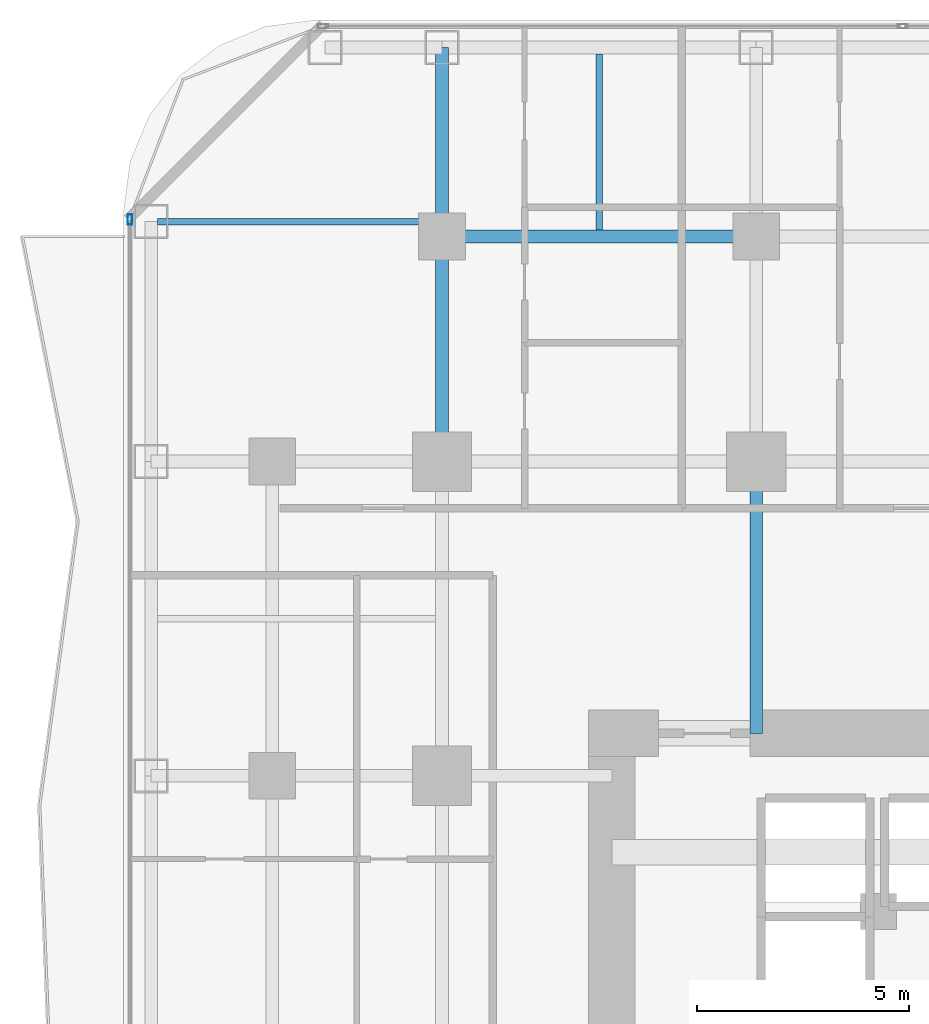
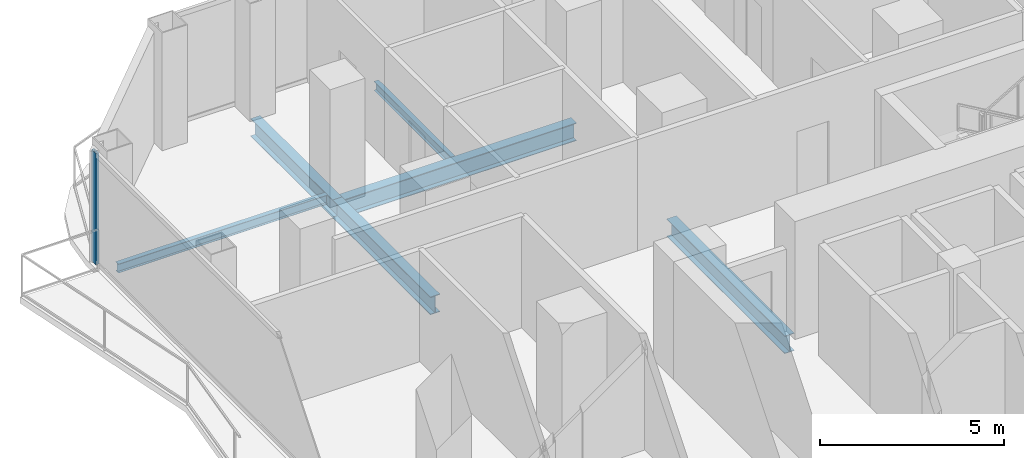
# One storey, part 14 of 27: 6 beams, 1 member, 1 element without a shape of its own.
"""IFC4 building model written with IfcOpenShell, lengths in metres."""

from ifc_helpers import new_model, si_unit, direction, frame, origin, origin_2d, place, context, subcontext, project, spatial, hollow_rectangle, i_section, extrude, material, layer, layer_set, material_profile, profile_set, type_object, element, aggregate, save


model = new_model("IFC4")

# Units and contexts
model_context = context("Model", 3, precision=1e-05, world=origin(), true_north=direction((0.0, 1.0)))
body_context = subcontext(model_context, "Body", "Model", "MODEL_VIEW")
ifc_project = project(units=[si_unit("LENGTHUNIT", "METRE"), si_unit("AREAUNIT", "SQUARE_METRE"), si_unit("VOLUMEUNIT", "CUBIC_METRE"), si_unit("PLANEANGLEUNIT", "RADIAN"), si_unit("MASSUNIT", "GRAM", prefix="KILO")], contexts=[model_context])

# Site, building, storey
site_placement = place(None, origin())
site = spatial("IfcSite", under=ifc_project, at=site_placement, CompositionType="ELEMENT")
building_placement = place(site_placement, origin())
building = spatial("IfcBuilding", under=site, at=building_placement, Name="Khorvyn Point Tower", CompositionType="ELEMENT")
storey_placement = place(building_placement, frame((0.0, 0.0, 42.300048828125)))
storey = spatial("IfcBuildingStorey", under=building, at=storey_placement, Name="L11", CompositionType="ELEMENT", Elevation=42.300048828125)

# Curtain wall, member
ifc_material_1 = material(Name="Anodised aluminium 6063-T6 and laminated Low-E glass", Category="aluminium")
ifc_layer = layer(ifc_material_1, 0.18994140625)
ifc_layer_set = layer_set([ifc_layer], Name="Stick-Built Finned Residential Curtain Wall CW-SYS-02")
curtain_wall_type = type_object("IfcCurtainWallType", Name="Stick-Built Finned Residential Curtain Wall CW-SYS-02", PredefinedType="NOTDEFINED", material=ifc_layer_set)
curtain_wall_placement = place(storey_placement, origin())
curtain_wall = element("IfcCurtainWall", 1, at=curtain_wall_placement, inside=storey, type_object=curtain_wall_type, Name="Curtain Wall", PredefinedType="NOTDEFINED")
ifc_material_2 = material(Name="Anodised aluminium 6063-T6", Category="aluminium")
ifc_material_profile_1 = material_profile(ifc_material_2, hollow_rectangle(XDim=0.10009765625, YDim=0.239990234375, WallThickness=0.0048828125, at=origin_2d()))
ifc_profile_set_1 = profile_set([ifc_material_profile_1], Name="Anodised aluminium 6063-T6 ALU-MUL-100x240")
member_type = type_object("IfcMemberType", Name="Anodised Aluminium 6063-T6 Mullion ALU-MUL-100x240", PredefinedType="MULLION", material=ifc_profile_set_1)
member_placement = place(storey_placement, frame((-22.14990234375, 20.5, 0.0), z_axis=(0.0, 0.0, 1.0), x_axis=(-1.0, 0.0, 0.0)))
member = element("IfcMember", 2, at=member_placement, type_object=member_type, Name="Transom", PredefinedType="MULLION", context=body_context, shape_type="SweptSolid", body=[
    extrude(hollow_rectangle(XDim=0.10009765625, YDim=0.239990234375, WallThickness=0.0048828125, at=origin_2d()), origin(), (0.0, 0.0, 1.0), 3.679931640625),
])
aggregate(curtain_wall, [member])

# Beams
ifc_material_3 = material(Name="Steel S355", Category="steel")
ifc_material_profile_2 = material_profile(ifc_material_3, i_section(OverallWidth=0.300048828125, OverallDepth=0.587890625, WebThickness=0.011962890625, FlangeThickness=0.02001953125, at=origin_2d()))
ifc_profile_set_2 = profile_set([ifc_material_profile_2], Name="Steel S355 H588x300x12x20")
beam_type_1 = type_object("IfcBeamType", Name="Steel S355 Beam H588x300x12x20", PredefinedType="BEAM", material=ifc_profile_set_2)
beam_1_placement = place(storey_placement, frame((-14.800048828125, 20.10009765625, -0.51416015625), z_axis=(1.0, 0.0, 0.0), x_axis=(0.0, 1.0, 0.0)))
element("IfcBeam", 3, at=beam_1_placement, inside=storey, type_object=beam_type_1, Name="Beam", PredefinedType="BEAM", context=body_context, shape_type="SweptSolid", body=[
    extrude(i_section(OverallWidth=0.300048828125, OverallDepth=0.587890625, WebThickness=0.011962890625, FlangeThickness=0.02001953125, at=origin_2d()), origin(), (0.0, 0.0, 1.0), 7.400146484375),
])
beam_2_placement = place(storey_placement, frame((-14.800048828125, 14.800048828125, -0.51416015625), z_axis=(0.0, 1.0, 0.0), x_axis=(-1.0, 0.0, 0.0)))
element("IfcBeam", 4, at=beam_2_placement, inside=storey, type_object=beam_type_1, Name="Beam", PredefinedType="BEAM", context=body_context, shape_type="SweptSolid", body=[
    extrude(i_section(OverallWidth=0.300048828125, OverallDepth=0.587890625, WebThickness=0.011962890625, FlangeThickness=0.02001953125, at=origin_2d()), origin(), (0.0, 0.0, 1.0), 5.300048828125),
])
beam_3_placement = place(storey_placement, frame((-14.800048828125, 20.10009765625, -0.51416015625), z_axis=(0.0, 1.0, 0.0), x_axis=(-1.0, 0.0, 0.0)))
element("IfcBeam", 5, at=beam_3_placement, inside=storey, type_object=beam_type_1, Name="Beam", PredefinedType="BEAM", context=body_context, shape_type="SweptSolid", body=[
    extrude(i_section(OverallWidth=0.300048828125, OverallDepth=0.587890625, WebThickness=0.011962890625, FlangeThickness=0.02001953125, at=origin_2d()), origin(), (0.0, 0.0, 1.0), 4.449951171875),
])
beam_4_placement = place(storey_placement, frame((-7.39990234375, 8.39990234375, -0.51416015625), z_axis=(0.0, 1.0, 0.0), x_axis=(-1.0, 0.0, 0.0)))
element("IfcBeam", 6, at=beam_4_placement, inside=storey, type_object=beam_type_1, Name="Beam", PredefinedType="BEAM", context=body_context, shape_type="SweptSolid", body=[
    extrude(i_section(OverallWidth=0.300048828125, OverallDepth=0.587890625, WebThickness=0.011962890625, FlangeThickness=0.02001953125, at=origin_2d()), origin(), (0.0, 0.0, 1.0), 6.400146484375),
])
ifc_material_profile_3 = material_profile(ifc_material_3, i_section(OverallWidth=0.14990234375, OverallDepth=0.300048828125, WebThickness=0.006591796875, FlangeThickness=0.009033203125, at=origin_2d()))
ifc_profile_set_3 = profile_set([ifc_material_profile_3], Name="Steel S355 H300x150x6.5x9")
beam_type_2 = type_object("IfcBeamType", Name="Steel S355 Joist H300x150x6.5x9", PredefinedType="JOIST", material=ifc_profile_set_3)
beam_5_placement = place(storey_placement, frame((-11.10009765625, 20.25, -0.3701171875), z_axis=(0.0, 1.0, 0.0), x_axis=(-1.0, 0.0, 0.0)))
element("IfcBeam", 7, at=beam_5_placement, inside=storey, type_object=beam_type_2, Name="Beam", PredefinedType="JOIST", context=body_context, shape_type="SweptSolid", body=[
    extrude(i_section(OverallWidth=0.14990234375, OverallDepth=0.300048828125, WebThickness=0.006591796875, FlangeThickness=0.009033203125, at=origin_2d()), origin(), (0.0, 0.0, 1.0), 4.14990234375),
])
beam_6_placement = place(storey_placement, frame((-21.5, 20.449951171875, -0.3701171875), z_axis=(1.0, 0.0, 0.0), x_axis=(0.0, 1.0, 0.0)))
element("IfcBeam", 8, at=beam_6_placement, inside=storey, type_object=beam_type_2, Name="Beam", PredefinedType="JOIST", context=body_context, shape_type="SweptSolid", body=[
    extrude(i_section(OverallWidth=0.14990234375, OverallDepth=0.300048828125, WebThickness=0.006591796875, FlangeThickness=0.009033203125, at=origin_2d()), origin(), (0.0, 0.0, 1.0), 6.550048828125),
])

save(model, "model.ifc")
